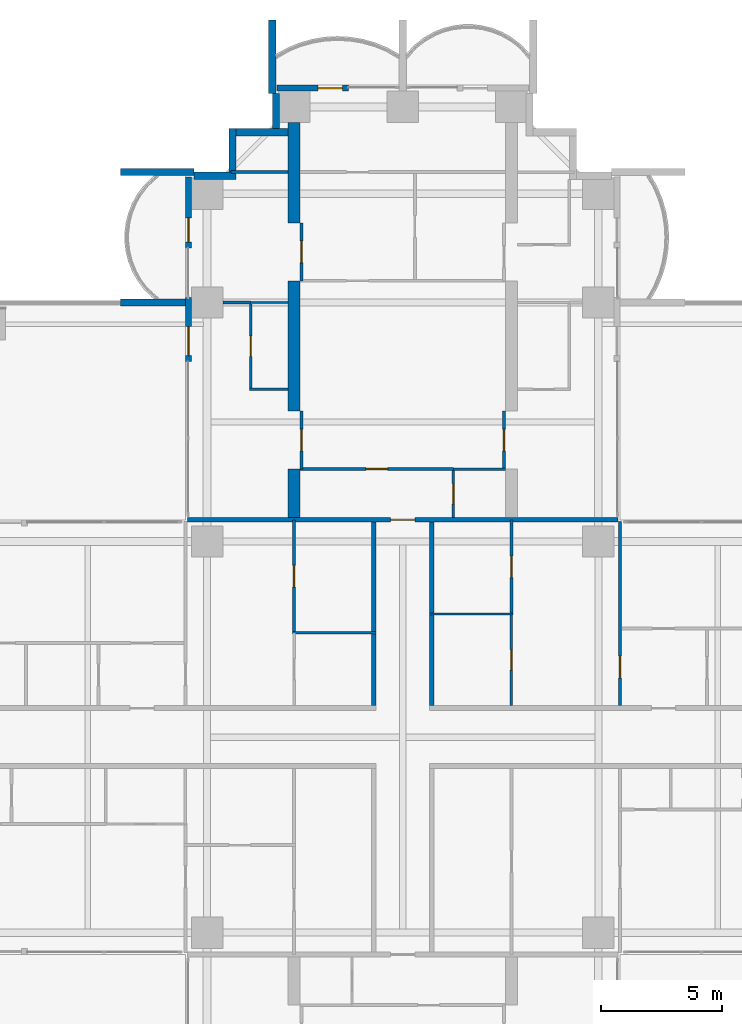
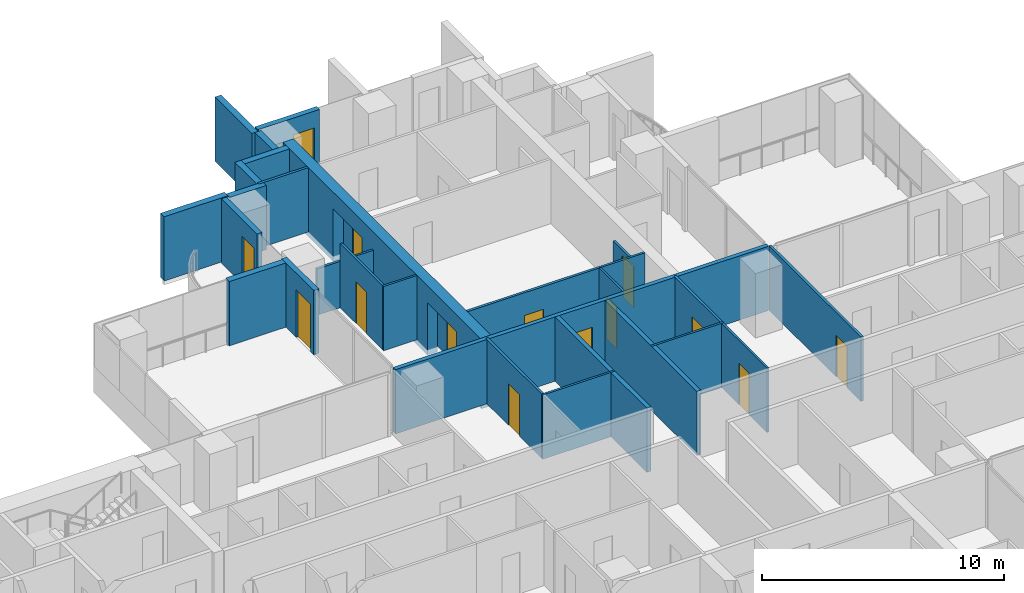
# One storey, part 14 of 21: 31 walls, 14 doors, 14 openings.
"""IFC4 building model written with IfcOpenShell, lengths in metres."""

from ifc_helpers import new_model, si_unit, direction, frame, frame_2d, origin, place, context, subcontext, project, spatial, polyline, rectangle, outline, extrude, material, layer, layer_set, material_profile, profile_set, type_object, element, fill, save


model = new_model("IFC4")

# Units and contexts
model_context = context("Model", 3, precision=1e-05, world=origin(), true_north=direction((0.0, 1.0)))
body_context = subcontext(model_context, "Body", "Model", "MODEL_VIEW")
ifc_project = project(units=[si_unit("LENGTHUNIT", "METRE"), si_unit("AREAUNIT", "SQUARE_METRE"), si_unit("VOLUMEUNIT", "CUBIC_METRE"), si_unit("PLANEANGLEUNIT", "RADIAN"), si_unit("MASSUNIT", "GRAM", prefix="KILO")], contexts=[model_context])

# Site, building, storey
site_placement = place(None, origin())
site = spatial("IfcSite", under=ifc_project, at=site_placement, CompositionType="ELEMENT")
building_placement = place(site_placement, origin())
building = spatial("IfcBuilding", under=site, at=building_placement, Name="Perihelion Cross Residences", CompositionType="ELEMENT")
storey_placement = place(building_placement, frame((0.0, 0.0, 64.5)))
storey = spatial("IfcBuildingStorey", under=building, at=storey_placement, Name="L13", CompositionType="ELEMENT", Elevation=64.5)

# Walls
ifc_material_1 = material(Name="Plasterboard partition")
ifc_layer_1 = layer(ifc_material_1, 0.199951171875)
ifc_layer_set_1 = layer_set([ifc_layer_1], Name="Apartment separation wall 200")
wall_type_1 = type_object("IfcWallType", Name="Apartment separation wall 200", PredefinedType="PARTITIONING", material=ifc_layer_set_1)
for number, where, z_axis, x_axis, name in (
    (1, (1.199951171875, 8.89990234375, 0.0), (0.0, 0.0, 1.0), (0.0, -1.0, 0.0), "Partition L13 W002"),
    (2, (-1.199951171875, 1.300048828125, 0.0), (0.0, 0.0, 1.0), (0.0, 1.0, 0.0), "Partition L13 W006"),
):
    element("IfcWall", number, at=place(storey_placement, frame(where, z_axis=z_axis, x_axis=x_axis)), inside=storey, type_object=wall_type_1, Name=name, PredefinedType="PARTITIONING", context=body_context, shape_type="SweptSolid", body=[
        extrude(rectangle(XDim=7.599853515625, YDim=0.199951171875, at=frame_2d((3.7998046875, 0.0))), origin(), (0.0, 0.0, 1.0), 3.25),
    ])

# Wall, opening, door
wall_1_placement = place(storey_placement, frame((-8.919921875, 9.0, 0.0), z_axis=(0.0, 0.0, 1.0), x_axis=(1.0, 0.0, 0.0)))
wall_1 = element("IfcWall", 3, at=wall_1_placement, inside=storey, type_object=wall_type_1, Name="Partition L13 W009", PredefinedType="PARTITIONING", context=body_context, shape_type="SweptSolid", body=[
    extrude(rectangle(XDim=17.83984375, YDim=0.199951171875, at=frame_2d((8.919921875, 0.0))), origin(), (0.0, 0.0, 1.0), 3.25),
])
opening_1_placement = place(wall_1_placement, frame((8.419921875, 0.0, 0.0)))
opening_1 = element("IfcOpeningElement", 4, at=opening_1_placement, cuts=wall_1, Name="Opening L13.A36", PredefinedType="OPENING", context=body_context, shape_type="SweptSolid", body=[
    extrude(rectangle(XDim=1.0, YDim=2.10009765625, at=frame_2d((0.5, 1.050048828125))), frame((0.0, 0.10986328125, 0.0), z_axis=(0.0, -1.0, 0.0), x_axis=(1.0, 0.0, 0.0)), (0.0, 0.0, 1.0), 0.219970703125),
])
ifc_material_2 = material(Name="Timber door leaf", Category="wood")
door_type_1 = type_object("IfcDoorType", Name="Flat entrance door 1000 x 2100", OperationType="SINGLE_SWING_LEFT", PredefinedType="DOOR", material=ifc_material_2)
door_1_placement = place(opening_1_placement, origin())
door_1 = element("IfcDoor", 5, at=door_1_placement, inside=storey, type_object=door_type_1, Name="Door L13.A36", OperationType="SINGLE_SWING_RIGHT", OverallHeight=2.10009765625, OverallWidth=1.0, PredefinedType="DOOR", context=body_context, shape_type="SweptSolid", body=[
    extrude(rectangle(XDim=1.0, YDim=2.10009765625, at=frame_2d((0.5, 1.050048828125))), frame((0.0, 0.02490234375, 0.0), z_axis=(0.0, -1.0, 0.0), x_axis=(1.0, 0.0, 0.0)), (0.0, 0.0, 1.0), 0.050048828125),
])
fill(opening_1, door_1)

ifc_material_3 = material(Name="Concrete C30/37, bronze-clad", Category="concrete")
ifc_layer_2 = layer(ifc_material_3, 0.25)
ifc_layer_set_2 = layer_set([ifc_layer_2], Name="Bronze-clad pier wall 250")
wall_type_2 = type_object("IfcWallType", Name="Bronze-clad pier wall 250", PredefinedType="SOLIDWALL", material=ifc_layer_set_2)
wall_2_placement = place(storey_placement, frame((-2.25, 26.875, 0.0), z_axis=(0.0, 0.0, 1.0), x_axis=(-1.0, 0.0, 0.0)))
wall_2 = element("IfcWall", 6, at=wall_2_placement, inside=storey, type_object=wall_type_2, Name="Wall FW1 L13 north tip north bay 2 pier", PredefinedType="SOLIDWALL", context=body_context, shape_type="SweptSolid", body=[
    extrude(rectangle(XDim=2.949951171875, YDim=0.25, at=frame_2d((1.47509765625, 0.0))), origin(), (0.0, 0.0, 1.0), 3.25),
])
opening_2_placement = place(wall_2_placement, frame((0.25, 0.0, 0.0)))
opening_2 = element("IfcOpeningElement", 7, at=opening_2_placement, cuts=wall_2, Name="Opening L13.E05", PredefinedType="OPENING", context=body_context, shape_type="SweptSolid", body=[
    extrude(rectangle(XDim=1.0, YDim=2.39990234375, at=frame_2d((0.5, 1.199951171875))), frame((0.0, 0.135009765625, 0.0), z_axis=(0.0, -1.0, 0.0), x_axis=(1.0, 0.0, 0.0)), (0.0, 0.0, 1.0), 0.27001953125),
])
ifc_material_4 = material(Name="Bronze anodised aluminium, glazed", Category="aluminium")
door_type_2 = type_object("IfcDoorType", Name="Balcony door 1000 x 2400", OperationType="NOTDEFINED", PredefinedType="DOOR", material=ifc_material_4)
door_2_placement = place(opening_2_placement, origin())
door_2 = element("IfcDoor", 8, at=door_2_placement, inside=storey, type_object=door_type_2, Name="Door L13.E05 north tip north bay 2", OperationType="SINGLE_SWING_RIGHT", OverallHeight=2.39990234375, OverallWidth=1.0, PredefinedType="DOOR", context=body_context, shape_type="SweptSolid", body=[
    extrude(rectangle(XDim=1.0, YDim=2.39990234375, at=frame_2d((0.5, 1.199951171875))), frame((0.0, 0.02490234375, 0.0), z_axis=(0.0, -1.0, 0.0), x_axis=(1.0, 0.0, 0.0)), (0.0, 0.0, 1.0), 0.050048828125),
])
fill(opening_2, door_2)

wall_3_placement = place(storey_placement, frame((-8.875, 23.199951171875, 0.0), z_axis=(0.0, 0.0, 1.0), x_axis=(0.0, -1.0, 0.0)))
wall_3 = element("IfcWall", 9, at=wall_3_placement, inside=storey, type_object=wall_type_2, Name="Wall FW1 L13 north side west bay 1 pier", PredefinedType="SOLIDWALL", context=body_context, shape_type="SweptSolid", body=[
    extrude(rectangle(XDim=2.949951171875, YDim=0.25, at=frame_2d((1.47509765625, 0.0))), origin(), (0.0, 0.0, 1.0), 3.25),
])
opening_3_placement = place(wall_3_placement, frame((1.699951171875, 0.0, 0.0)))
opening_3 = element("IfcOpeningElement", 10, at=opening_3_placement, cuts=wall_3, Name="Opening L13.E06", PredefinedType="OPENING", context=body_context, shape_type="SweptSolid", body=[
    extrude(rectangle(XDim=1.0, YDim=2.39990234375, at=frame_2d((0.5, 1.199951171875))), frame((0.0, 0.135009765625, 0.0), z_axis=(0.0, -1.0, 0.0), x_axis=(1.0, 0.0, 0.0)), (0.0, 0.0, 1.0), 0.27001953125),
])
door_3_placement = place(opening_3_placement, origin())
door_3 = element("IfcDoor", 11, at=door_3_placement, inside=storey, type_object=door_type_2, Name="Door L13.E06 north side west bay 1", OperationType="SINGLE_SWING_LEFT", OverallHeight=2.39990234375, OverallWidth=1.0, PredefinedType="DOOR", context=body_context, shape_type="SweptSolid", body=[
    extrude(rectangle(XDim=1.0, YDim=2.39990234375, at=frame_2d((0.5, 1.199951171875))), frame((0.0, 0.02490234375, 0.0), z_axis=(0.0, -1.0, 0.0), x_axis=(1.0, 0.0, 0.0)), (0.0, 0.0, 1.0), 0.050048828125),
])
fill(opening_3, door_3)

wall_4_placement = place(storey_placement, frame((-8.875, 18.199951171875, 0.0), z_axis=(0.0, 0.0, 1.0), x_axis=(0.0, -1.0, 0.0)))
wall_4 = element("IfcWall", 12, at=wall_4_placement, inside=storey, type_object=wall_type_2, Name="Wall FW1 L13 north side west bay 2 pier", PredefinedType="SOLIDWALL", context=body_context, shape_type="SweptSolid", body=[
    extrude(rectangle(XDim=2.64990234375, YDim=0.25, at=frame_2d((1.324951171875, 0.0))), origin(), (0.0, 0.0, 1.0), 3.25),
])
opening_4_placement = place(wall_4_placement, frame((1.199951171875, 0.0, 0.0)))
opening_4 = element("IfcOpeningElement", 13, at=opening_4_placement, cuts=wall_4, Name="Opening L13.E07", PredefinedType="OPENING", context=body_context, shape_type="SweptSolid", body=[
    extrude(rectangle(XDim=1.199951171875, YDim=2.39990234375, at=frame_2d((0.60009765625, 1.199951171875))), frame((0.0, 0.135009765625, 0.0), z_axis=(0.0, -1.0, 0.0), x_axis=(1.0, 0.0, 0.0)), (0.0, 0.0, 1.0), 0.27001953125),
])
ifc_material_5 = material(Name="Bronze anodised aluminium, glazed", Category="aluminium")
door_type_3 = type_object("IfcDoorType", Name="Balcony door 1200 x 2400", OperationType="NOTDEFINED", PredefinedType="DOOR", material=ifc_material_5)
door_4_placement = place(opening_4_placement, origin())
door_4 = element("IfcDoor", 14, at=door_4_placement, inside=storey, type_object=door_type_3, Name="Door L13.E07 north side west bay 2", OperationType="SINGLE_SWING_RIGHT", OverallHeight=2.39990234375, OverallWidth=1.199951171875, PredefinedType="DOOR", context=body_context, shape_type="SweptSolid", body=[
    extrude(rectangle(XDim=1.199951171875, YDim=2.39990234375, at=frame_2d((0.60009765625, 1.199951171875))), frame((0.0, 0.02490234375, 0.0), z_axis=(0.0, -1.0, 0.0), x_axis=(1.0, 0.0, 0.0)), (0.0, 0.0, 1.0), 0.050048828125),
])
fill(opening_4, door_4)

# Walls
ifc_material_6 = material(Name="Concrete C30/37, bronze-clad", Category="concrete")
ifc_layer_3 = layer(ifc_material_6, 0.300048828125)
ifc_layer_set_3 = layer_set([ifc_layer_3], Name="Bronze-clad serration wall 300")
wall_type_3 = type_object("IfcWallType", Name="Bronze-clad serration wall 300", PredefinedType="SOLIDWALL", material=ifc_layer_set_3)
wall_5_placement = place(storey_placement, frame((-5.25, 26.64990234375, 0.0), z_axis=(0.0, 0.0, 1.0), x_axis=(0.0, -1.0, 0.0)))
element("IfcWall", 15, at=wall_5_placement, inside=storey, type_object=wall_type_3, Name="Wall SR1 L13 north corner north-west 1", PredefinedType="SOLIDWALL", context=body_context, shape_type="SweptSolid", body=[
    extrude(rectangle(XDim=1.449951171875, YDim=0.300048828125, at=frame_2d((0.72509765625, 0.0))), origin(), (0.0, 0.0, 1.0), 3.25),
])
wall_6_placement = place(storey_placement, frame((-4.75, 25.050048828125, 0.0), z_axis=(0.0, 0.0, 1.0), x_axis=(-1.0, 0.0, 0.0)))
element("IfcWall", 16, at=wall_6_placement, inside=storey, type_object=wall_type_3, Name="Wall SR1 L13 north corner north-west 2", PredefinedType="SOLIDWALL", context=body_context, shape_type="SweptSolid", body=[
    extrude(rectangle(XDim=2.14990234375, YDim=0.300048828125, at=frame_2d((1.074951171875, 0.0))), origin(), (0.0, 0.0, 1.0), 3.25),
])
wall_7_placement = place(storey_placement, frame((-7.050048828125, 25.199951171875, 0.0), z_axis=(0.0, 0.0, 1.0), x_axis=(0.0, -1.0, 0.0)))
element("IfcWall", 17, at=wall_7_placement, inside=storey, type_object=wall_type_3, Name="Wall SR1 L13 north corner north-west 3", PredefinedType="SOLIDWALL", context=body_context, shape_type="SweptSolid", body=[
    extrude(rectangle(XDim=1.800048828125, YDim=0.300048828125, at=frame_2d((0.89990234375, 0.0))), origin(), (0.0, 0.0, 1.0), 3.25),
])
wall_8_placement = place(storey_placement, frame((-6.89990234375, 23.25, 0.0), z_axis=(0.0, 0.0, 1.0), x_axis=(-1.0, 0.0, 0.0)))
element("IfcWall", 18, at=wall_8_placement, inside=storey, type_object=wall_type_3, Name="Wall SR1 L13 north corner north-west 4", PredefinedType="SOLIDWALL", context=body_context, shape_type="SweptSolid", body=[
    extrude(rectangle(XDim=1.75, YDim=0.300048828125, at=frame_2d((0.875, 0.0))), origin(), (0.0, 0.0, 1.0), 3.25),
])

# Wall, opening, door
ifc_material_7 = material(Name="Plasterboard partition")
ifc_layer_4 = layer(ifc_material_7, 0.1201171875)
ifc_layer_set_4 = layer_set([ifc_layer_4], Name="Infill panel 120")
wall_type_4 = type_object("IfcWallType", Name="Infill panel 120", PredefinedType="PARTITIONING", material=ifc_layer_set_4)
wall_9_placement = place(storey_placement, frame((4.18994140625, 11.10009765625, 0.0), z_axis=(0.0, 0.0, 1.0), x_axis=(0.0, 1.0, 0.0)))
wall_9 = element("IfcWall", 19, at=wall_9_placement, inside=storey, type_object=wall_type_4, Name="Partition L13 WI01", PredefinedType="PARTITIONING", context=body_context, shape_type="SweptSolid", body=[
    extrude(rectangle(XDim=2.39990234375, YDim=0.1201171875, at=frame_2d((1.199951171875, 0.0))), origin(), (0.0, 0.0, 1.0), 2.39990234375),
])
opening_5_placement = place(wall_9_placement, frame((0.75, 0.0, 0.0)))
opening_5 = element("IfcOpeningElement", 20, at=opening_5_placement, cuts=wall_9, Name="Opening L13.A57", PredefinedType="OPENING", context=body_context, shape_type="SweptSolid", body=[
    extrude(rectangle(XDim=0.89990234375, YDim=2.10009765625, at=frame_2d((0.449951171875, 1.050048828125))), frame((0.0, 0.070068359375, 0.0), z_axis=(0.0, -1.0, 0.0), x_axis=(1.0, 0.0, 0.0)), (0.0, 0.0, 1.0), 0.14013671875),
])
ifc_material_8 = material(Name="Timber door leaf", Category="wood")
door_type_4 = type_object("IfcDoorType", Name="Interior room door 900 x 2100", OperationType="SINGLE_SWING_LEFT", PredefinedType="DOOR", material=ifc_material_8)
door_5_placement = place(opening_5_placement, origin())
door_5 = element("IfcDoor", 21, at=door_5_placement, inside=storey, type_object=door_type_4, Name="Door L13.A57", OperationType="SINGLE_SWING_LEFT", OverallHeight=2.10009765625, OverallWidth=0.89990234375, PredefinedType="DOOR", context=body_context, shape_type="SweptSolid", body=[
    extrude(rectangle(XDim=0.89990234375, YDim=2.10009765625, at=frame_2d((0.449951171875, 1.050048828125))), frame((0.0, 0.02490234375, 0.0), z_axis=(0.0, -1.0, 0.0), x_axis=(1.0, 0.0, 0.0)), (0.0, 0.0, 1.0), 0.050048828125),
])
fill(opening_5, door_5)

wall_10_placement = place(storey_placement, frame((-4.18994140625, 11.10009765625, 0.0), z_axis=(0.0, 0.0, 1.0), x_axis=(0.0, 1.0, 0.0)))
wall_10 = element("IfcWall", 22, at=wall_10_placement, inside=storey, type_object=wall_type_4, Name="Partition L13 WI03", PredefinedType="PARTITIONING", context=body_context, shape_type="SweptSolid", body=[
    extrude(rectangle(XDim=2.39990234375, YDim=0.1201171875, at=frame_2d((1.199951171875, 0.0))), origin(), (0.0, 0.0, 1.0), 2.39990234375),
])
opening_6_placement = place(wall_10_placement, frame((0.75, 0.0, 0.0)))
opening_6 = element("IfcOpeningElement", 23, at=opening_6_placement, cuts=wall_10, Name="Opening L13.A59", PredefinedType="OPENING", context=body_context, shape_type="SweptSolid", body=[
    extrude(rectangle(XDim=0.89990234375, YDim=2.10009765625, at=frame_2d((0.449951171875, 1.050048828125))), frame((0.0, 0.070068359375, 0.0), z_axis=(0.0, -1.0, 0.0), x_axis=(1.0, 0.0, 0.0)), (0.0, 0.0, 1.0), 0.14013671875),
])
door_6_placement = place(opening_6_placement, origin())
door_6 = element("IfcDoor", 24, at=door_6_placement, inside=storey, type_object=door_type_4, Name="Door L13.A59", OperationType="SINGLE_SWING_RIGHT", OverallHeight=2.10009765625, OverallWidth=0.89990234375, PredefinedType="DOOR", context=body_context, shape_type="SweptSolid", body=[
    extrude(rectangle(XDim=0.89990234375, YDim=2.10009765625, at=frame_2d((0.449951171875, 1.050048828125))), frame((0.0, 0.02490234375, 0.0), z_axis=(0.0, -1.0, 0.0), x_axis=(1.0, 0.0, 0.0)), (0.0, 0.0, 1.0), 0.050048828125),
])
fill(opening_6, door_6)

wall_11_placement = place(storey_placement, frame((-4.18994140625, 18.89990234375, 0.0), z_axis=(0.0, 0.0, 1.0), x_axis=(0.0, 1.0, 0.0)))
wall_11 = element("IfcWall", 25, at=wall_11_placement, inside=storey, type_object=wall_type_4, Name="Partition L13 WI04", PredefinedType="PARTITIONING", context=body_context, shape_type="SweptSolid", body=[
    extrude(rectangle(XDim=2.400146484375, YDim=0.1201171875, at=frame_2d((1.2001953125, 0.0))), origin(), (0.0, 0.0, 1.0), 2.39990234375),
])
opening_7_placement = place(wall_11_placement, frame((0.75, 0.0, 0.0)))
opening_7 = element("IfcOpeningElement", 26, at=opening_7_placement, cuts=wall_11, Name="Opening L13.A60", PredefinedType="OPENING", context=body_context, shape_type="SweptSolid", body=[
    extrude(rectangle(XDim=0.89990234375, YDim=2.10009765625, at=frame_2d((0.449951171875, 1.050048828125))), frame((0.0, 0.070068359375, 0.0), z_axis=(0.0, -1.0, 0.0), x_axis=(1.0, 0.0, 0.0)), (0.0, 0.0, 1.0), 0.14013671875),
])
door_7_placement = place(opening_7_placement, origin())
door_7 = element("IfcDoor", 27, at=door_7_placement, inside=storey, type_object=door_type_4, Name="Door L13.A60", OperationType="SINGLE_SWING_LEFT", OverallHeight=2.10009765625, OverallWidth=0.89990234375, PredefinedType="DOOR", context=body_context, shape_type="SweptSolid", body=[
    extrude(rectangle(XDim=0.89990234375, YDim=2.10009765625, at=frame_2d((0.449951171875, 1.050048828125))), frame((0.0, 0.02490234375, 0.0), z_axis=(0.0, -1.0, 0.0), x_axis=(1.0, 0.0, 0.0)), (0.0, 0.0, 1.0), 0.050048828125),
])
fill(opening_7, door_7)

ifc_material_9 = material(Name="Plasterboard partition")
ifc_layer_5 = layer(ifc_material_9, 0.1201171875)
ifc_layer_set_5 = layer_set([ifc_layer_5], Name="Partition wall 120")
wall_type_5 = type_object("IfcWallType", Name="Partition wall 120", PredefinedType="PARTITIONING", material=ifc_layer_set_5)
wall_12_placement = place(storey_placement, frame((9.0, 1.300048828125, 0.0), z_axis=(0.0, 0.0, 1.0), x_axis=(0.0, 1.0, 0.0)))
wall_12 = element("IfcWall", 28, at=wall_12_placement, inside=storey, type_object=wall_type_5, Name="Partition L13 W013", PredefinedType="PARTITIONING", context=body_context, shape_type="SweptSolid", body=[
    extrude(rectangle(XDim=7.619873046875, YDim=0.1201171875, at=frame_2d((3.81005859375, 0.0))), origin(), (0.0, 0.0, 1.0), 3.25),
])
opening_8_placement = place(wall_12_placement, frame((1.14990234375, 0.0, 0.0)))
opening_8 = element("IfcOpeningElement", 29, at=opening_8_placement, cuts=wall_12, Name="Opening L13.A04", PredefinedType="OPENING", context=body_context, shape_type="SweptSolid", body=[
    extrude(rectangle(XDim=0.89990234375, YDim=2.10009765625, at=frame_2d((0.449951171875, 1.050048828125))), frame((0.0, 0.070068359375, 0.0), z_axis=(0.0, -1.0, 0.0), x_axis=(1.0, 0.0, 0.0)), (0.0, 0.0, 1.0), 0.14013671875),
])
door_8_placement = place(opening_8_placement, origin())
door_8 = element("IfcDoor", 30, at=door_8_placement, inside=storey, type_object=door_type_4, Name="Door L13.A04", OperationType="SINGLE_SWING_RIGHT", OverallHeight=2.10009765625, OverallWidth=0.89990234375, PredefinedType="DOOR", context=body_context, shape_type="SweptSolid", body=[
    extrude(rectangle(XDim=0.89990234375, YDim=2.10009765625, at=frame_2d((0.449951171875, 1.050048828125))), frame((0.0, 0.02490234375, 0.0), z_axis=(0.0, -1.0, 0.0), x_axis=(1.0, 0.0, 0.0)), (0.0, 0.0, 1.0), 0.050048828125),
])
fill(opening_8, door_8)

wall_13_placement = place(storey_placement, frame((4.5, 5.10009765625, 0.0), z_axis=(0.0, 0.0, 1.0), x_axis=(0.0, 1.0, 0.0)))
wall_13 = element("IfcWall", 31, at=wall_13_placement, inside=storey, type_object=wall_type_5, Name="Partition L13 W020", PredefinedType="PARTITIONING", context=body_context, shape_type="SweptSolid", body=[
    extrude(rectangle(XDim=3.89990234375, YDim=0.1201171875, at=frame_2d((1.949951171875, 0.0))), origin(), (0.0, 0.0, 1.0), 3.25),
])
opening_9_placement = place(wall_13_placement, frame((1.5, 0.0, 0.0)))
opening_9 = element("IfcOpeningElement", 32, at=opening_9_placement, cuts=wall_13, Name="Opening L13.A07", PredefinedType="OPENING", context=body_context, shape_type="SweptSolid", body=[
    extrude(rectangle(XDim=0.89990234375, YDim=2.10009765625, at=frame_2d((0.449951171875, 1.050048828125))), frame((0.0, 0.070068359375, 0.0), z_axis=(0.0, -1.0, 0.0), x_axis=(1.0, 0.0, 0.0)), (0.0, 0.0, 1.0), 0.14013671875),
])
door_9_placement = place(opening_9_placement, origin())
door_9 = element("IfcDoor", 33, at=door_9_placement, inside=storey, type_object=door_type_4, Name="Door L13.A07", OperationType="SINGLE_SWING_RIGHT", OverallHeight=2.10009765625, OverallWidth=0.89990234375, PredefinedType="DOOR", context=body_context, shape_type="SweptSolid", body=[
    extrude(rectangle(XDim=0.89990234375, YDim=2.10009765625, at=frame_2d((0.449951171875, 1.050048828125))), frame((0.0, 0.02490234375, 0.0), z_axis=(0.0, -1.0, 0.0), x_axis=(1.0, 0.0, 0.0)), (0.0, 0.0, 1.0), 0.050048828125),
])
fill(opening_9, door_9)

wall_14_placement = place(storey_placement, frame((-4.5, 9.0, 0.0), z_axis=(0.0, 0.0, 1.0), x_axis=(0.0, -1.0, 0.0)))
wall_14 = element("IfcWall", 34, at=wall_14_placement, inside=storey, type_object=wall_type_5, Name="Partition L13 W044", PredefinedType="PARTITIONING", context=body_context, shape_type="SweptSolid", body=[
    extrude(rectangle(XDim=4.679931640625, YDim=0.1201171875, at=frame_2d((2.33984375, 0.0))), origin(), (0.0, 0.0, 1.0), 3.25),
])
opening_10_placement = place(wall_14_placement, frame((1.889892578125, 0.0, 0.0)))
opening_10 = element("IfcOpeningElement", 35, at=opening_10_placement, cuts=wall_14, Name="Opening L13.A23", PredefinedType="OPENING", context=body_context, shape_type="SweptSolid", body=[
    extrude(rectangle(XDim=0.89990234375, YDim=2.10009765625, at=frame_2d((0.449951171875, 1.050048828125))), frame((0.0, 0.070068359375, 0.0), z_axis=(0.0, -1.0, 0.0), x_axis=(1.0, 0.0, 0.0)), (0.0, 0.0, 1.0), 0.14013671875),
])
door_10_placement = place(opening_10_placement, origin())
door_10 = element("IfcDoor", 36, at=door_10_placement, inside=storey, type_object=door_type_4, Name="Door L13.A23", OperationType="SINGLE_SWING_RIGHT", OverallHeight=2.10009765625, OverallWidth=0.89990234375, PredefinedType="DOOR", context=body_context, shape_type="SweptSolid", body=[
    extrude(rectangle(XDim=0.89990234375, YDim=2.10009765625, at=frame_2d((0.449951171875, 1.050048828125))), frame((0.0, 0.02490234375, 0.0), z_axis=(0.0, -1.0, 0.0), x_axis=(1.0, 0.0, 0.0)), (0.0, 0.0, 1.0), 0.050048828125),
])
fill(opening_10, door_10)

wall_15_placement = place(storey_placement, frame((-4.25, 11.10009765625, 0.0), z_axis=(0.0, 0.0, 1.0), x_axis=(1.0, 0.0, 0.0)))
wall_15 = element("IfcWall", 37, at=wall_15_placement, inside=storey, type_object=wall_type_5, Name="Partition L13 W061", PredefinedType="PARTITIONING", context=body_context, shape_type="SweptSolid", body=[
    extrude(rectangle(XDim=6.35009765625, YDim=0.1201171875, at=frame_2d((3.175048828125, 0.0))), origin(), (0.0, 0.0, 1.0), 3.25),
])
opening_11_placement = place(wall_15_placement, frame((2.72509765625, 0.0, 0.0)))
opening_11 = element("IfcOpeningElement", 38, at=opening_11_placement, cuts=wall_15, Name="Opening L13.A38", PredefinedType="OPENING", context=body_context, shape_type="SweptSolid", body=[
    extrude(rectangle(XDim=0.89990234375, YDim=2.10009765625, at=frame_2d((0.449951171875, 1.050048828125))), frame((0.0, 0.070068359375, 0.0), z_axis=(0.0, -1.0, 0.0), x_axis=(1.0, 0.0, 0.0)), (0.0, 0.0, 1.0), 0.14013671875),
])
door_11_placement = place(opening_11_placement, origin())
door_11 = element("IfcDoor", 39, at=door_11_placement, inside=storey, type_object=door_type_4, Name="Door L13.A38", OperationType="SINGLE_SWING_LEFT", OverallHeight=2.10009765625, OverallWidth=0.89990234375, PredefinedType="DOOR", context=body_context, shape_type="SweptSolid", body=[
    extrude(rectangle(XDim=0.89990234375, YDim=2.10009765625, at=frame_2d((0.449951171875, 1.050048828125))), frame((0.0, 0.02490234375, 0.0), z_axis=(0.0, -1.0, 0.0), x_axis=(1.0, 0.0, 0.0)), (0.0, 0.0, 1.0), 0.050048828125),
])
fill(opening_11, door_11)

# Walls
wall_16_placement = place(storey_placement, frame((-7.449951171875, 18.0, 0.0), z_axis=(0.0, 0.0, 1.0), x_axis=(1.0, 0.0, 0.0)))
element("IfcWall", 40, at=wall_16_placement, inside=storey, type_object=wall_type_5, Name="Partition L13 W075", PredefinedType="PARTITIONING", context=body_context, shape_type="SweptSolid", body=[
    extrude(rectangle(XDim=1.14990234375, YDim=0.1201171875, at=frame_2d((0.574951171875, 0.0))), origin(), (0.0, 0.0, 1.0), 2.345947265625),
])
wall_17_placement = place(storey_placement, frame((-7.1201171875, 23.39990234375, 0.0), z_axis=(0.0, 0.0, 1.0), x_axis=(1.0, 0.0, 0.0)))
element("IfcWall", 41, at=wall_17_placement, inside=storey, type_object=wall_type_5, Name="Partition L13 W077", PredefinedType="PARTITIONING", context=body_context, shape_type="SweptSolid", body=[
    extrude(rectangle(XDim=2.3701171875, YDim=0.1201171875, at=frame_2d((1.18505859375, 0.0))), origin(), (0.0, 0.0, 1.0), 3.25),
])
ifc_material_10 = material(Name="Precast concrete C50/60", Category="concrete")
ifc_layer_6 = layer(ifc_material_10, 0.300048828125)
ifc_layer_set_6 = layer_set([ifc_layer_6], Name="Precast concrete C50/60 blade wall 300")
wall_type_6 = type_object("IfcWallType", Name="Precast concrete C50/60 blade wall 300", PredefinedType="SOLIDWALL", material=ifc_layer_set_6)
wall_18_placement = place(storey_placement, frame((-8.75, 18.0, 0.0), z_axis=(0.0, 0.0, 1.0), x_axis=(-1.0, 0.0, 0.0)))
element("IfcWall", 42, at=wall_18_placement, inside=storey, type_object=wall_type_6, Name="Wall BL1 L13 no. 7", PredefinedType="SOLIDWALL", context=body_context, shape_type="SweptSolid", body=[
    extrude(rectangle(XDim=2.949951171875, YDim=0.300048828125, at=frame_2d((1.47509765625, 0.0))), origin(), (0.0, 0.0, 1.0), 3.25),
])
for number, where, z_axis, x_axis, name in (
    (43, (-8.64990234375, 23.39990234375, 0.0), (0.0, 0.0, 1.0), (-1.0, 0.0, 0.0), "Wall BL1 L13 no. 8"),
    (44, (-5.39990234375, 26.64990234375, 0.0), (0.0, 0.0, 1.0), (0.0, 1.0, 0.0), "Wall BL1 L13 no. 4"),
):
    element("IfcWall", number, at=place(storey_placement, frame(where, z_axis=z_axis, x_axis=x_axis)), inside=storey, type_object=wall_type_6, Name=name, PredefinedType="SOLIDWALL", context=body_context, shape_type="SweptSolid", body=[
        extrude(rectangle(XDim=3.050048828125, YDim=0.300048828125, at=frame_2d((1.52490234375, 0.0))), origin(), (0.0, 0.0, 1.0), 3.25),
    ])
ifc_material_11 = material(Name="Concrete C60/75", Category="concrete")
ifc_material_profile = material_profile(ifc_material_11, outline(polyline([(0.0, 0.0), (2.10009765625, 0.0), (2.10009765625, 2.64990234375), (4.5, 2.64990234375), (4.5, 0.0), (9.89990234375, 0.0), (9.89990234375, 2.64990234375), (12.300048828125, 2.64990234375), (12.300048828125, 0.0), (16.449951171875, 0.0), (16.449951171875, 3.5), (0.0, 3.5), (0.0, 0.0)])), Name="Tip spine wall")
ifc_profile_set = profile_set([ifc_material_profile], Name="Concrete C60/75")
wall_type_7 = type_object("IfcWallType", Name="Tip spine wall 500 with 2 door openings 16450 long 3500 high concrete C60/75 hand B", PredefinedType="SHEAR", material=ifc_profile_set)
wall_19_placement = place(storey_placement, frame((-4.75, 9.0, -0.25), z_axis=(1.0, 0.0, 0.0), x_axis=(0.0, 1.0, 0.0)))
element("IfcWall", 45, at=wall_19_placement, inside=storey, type_object=wall_type_7, Name="Shear wall SW23 L13 north west", PredefinedType="SHEAR", context=body_context, shape_type="SweptSolid", body=[
    extrude(outline(polyline([(0.0, 0.0), (2.10009765625, 0.0), (2.10009765625, 2.64990234375), (4.5, 2.64990234375), (4.5, 0.0), (9.89990234375, 0.0), (9.89990234375, 2.64990234375), (12.300048828125, 2.64990234375), (12.300048828125, 0.0), (16.449951171875, 0.0), (16.449951171875, 3.5), (0.0, 3.5), (0.0, 0.0)])), origin(), (0.0, 0.0, 1.0), 0.5),
])

# Wall, opening, door
ifc_material_12 = material(Name="Plasterboard partition")
ifc_layer_7 = layer(ifc_material_12, 0.10009765625)
ifc_layer_set_7 = layer_set([ifc_layer_7], Name="Wet room wall 100")
wall_type_8 = type_object("IfcWallType", Name="Wet room wall 100", PredefinedType="PARTITIONING", material=ifc_layer_set_7)
wall_20_placement = place(storey_placement, frame((4.5, 1.300048828125, 0.0), z_axis=(0.0, 0.0, 1.0), x_axis=(0.0, 1.0, 0.0)))
wall_20 = element("IfcWall", 46, at=wall_20_placement, inside=storey, type_object=wall_type_8, Name="Partition L13 W019", PredefinedType="PARTITIONING", context=body_context, shape_type="SweptSolid", body=[
    extrude(rectangle(XDim=3.800048828125, YDim=0.10009765625, at=frame_2d((1.89990234375, 0.0))), origin(), (0.0, 0.0, 1.0), 3.25),
])
opening_12_placement = place(wall_20_placement, frame((1.47509765625, 0.0, 0.0)))
opening_12 = element("IfcOpeningElement", 47, at=opening_12_placement, cuts=wall_20, Name="Opening L13.A03", PredefinedType="OPENING", context=body_context, shape_type="SweptSolid", body=[
    extrude(rectangle(XDim=0.85009765625, YDim=2.10009765625, at=frame_2d((0.425048828125, 1.050048828125))), frame((0.0, 0.06005859375, 0.0), z_axis=(0.0, -1.0, 0.0), x_axis=(1.0, 0.0, 0.0)), (0.0, 0.0, 1.0), 0.1201171875),
])
ifc_material_13 = material(Name="Timber door leaf", Category="wood")
door_type_5 = type_object("IfcDoorType", Name="Interior bathroom door 850 x 2100", OperationType="SINGLE_SWING_LEFT", PredefinedType="DOOR", material=ifc_material_13)
door_12_placement = place(opening_12_placement, origin())
door_12 = element("IfcDoor", 48, at=door_12_placement, inside=storey, type_object=door_type_5, Name="Door L13.A03", OperationType="SINGLE_SWING_RIGHT", OverallHeight=2.10009765625, OverallWidth=0.85009765625, PredefinedType="DOOR", context=body_context, shape_type="SweptSolid", body=[
    extrude(rectangle(XDim=0.85009765625, YDim=2.10009765625, at=frame_2d((0.425048828125, 1.050048828125))), frame((0.0, 0.02490234375, 0.0), z_axis=(0.0, -1.0, 0.0), x_axis=(1.0, 0.0, 0.0)), (0.0, 0.0, 1.0), 0.050048828125),
])
fill(opening_12, door_12)

# Walls
for number, where, z_axis, x_axis, name in (
    (49, (1.10009765625, 5.10009765625, 0.0), (0.0, 0.0, 1.0), (1.0, 0.0, 0.0), "Partition L13 W021"),
    (50, (-4.56005859375, 4.320068359375, 0.0), (0.0, 0.0, 1.0), (1.0, 0.0, 0.0), "Partition L13 W045"),
):
    element("IfcWall", number, at=place(storey_placement, frame(where, z_axis=z_axis, x_axis=x_axis)), inside=storey, type_object=wall_type_8, Name=name, PredefinedType="PARTITIONING", context=body_context, shape_type="SweptSolid", body=[
        extrude(rectangle(XDim=3.4599609375, YDim=0.10009765625, at=frame_2d((1.72998046875, 0.0))), origin(), (0.0, 0.0, 1.0), 3.25),
    ])

# Wall, opening, door
wall_21_placement = place(storey_placement, frame((2.10009765625, 11.0400390625, 0.0), z_axis=(0.0, 0.0, 1.0), x_axis=(0.0, -1.0, 0.0)))
wall_21 = element("IfcWall", 51, at=wall_21_placement, inside=storey, type_object=wall_type_8, Name="Partition L13 W060", PredefinedType="PARTITIONING", context=body_context, shape_type="SweptSolid", body=[
    extrude(rectangle(XDim=1.93994140625, YDim=0.10009765625, at=frame_2d((0.969970703125, 0.0))), origin(), (0.0, 0.0, 1.0), 3.25),
])
opening_13_placement = place(wall_21_placement, frame((0.544921875, 0.0, 0.0)))
opening_13 = element("IfcOpeningElement", 52, at=opening_13_placement, cuts=wall_21, Name="Opening L13.A37", PredefinedType="OPENING", context=body_context, shape_type="SweptSolid", body=[
    extrude(rectangle(XDim=0.85009765625, YDim=2.10009765625, at=frame_2d((0.425048828125, 1.050048828125))), frame((0.0, 0.06005859375, 0.0), z_axis=(0.0, -1.0, 0.0), x_axis=(1.0, 0.0, 0.0)), (0.0, 0.0, 1.0), 0.1201171875),
])
door_13_placement = place(opening_13_placement, origin())
door_13 = element("IfcDoor", 53, at=door_13_placement, inside=storey, type_object=door_type_5, Name="Door L13.A37", OperationType="SINGLE_SWING_LEFT", OverallHeight=2.10009765625, OverallWidth=0.85009765625, PredefinedType="DOOR", context=body_context, shape_type="SweptSolid", body=[
    extrude(rectangle(XDim=0.85009765625, YDim=2.10009765625, at=frame_2d((0.425048828125, 1.050048828125))), frame((0.0, 0.02490234375, 0.0), z_axis=(0.0, -1.0, 0.0), x_axis=(1.0, 0.0, 0.0)), (0.0, 0.0, 1.0), 0.050048828125),
])
fill(opening_13, door_13)

# Wall
wall_22_placement = place(storey_placement, frame((2.10009765625, 11.10009765625, 0.0), z_axis=(0.0, 0.0, 1.0), x_axis=(1.0, 0.0, 0.0)))
element("IfcWall", 54, at=wall_22_placement, inside=storey, type_object=wall_type_8, Name="Partition L13 W062", PredefinedType="PARTITIONING", context=body_context, shape_type="SweptSolid", body=[
    extrude(rectangle(XDim=2.14990234375, YDim=0.10009765625, at=frame_2d((1.074951171875, 0.0))), origin(), (0.0, 0.0, 1.0), 3.25),
])

# Wall, opening, door
wall_23_placement = place(storey_placement, frame((-6.300048828125, 17.93994140625, 0.0), z_axis=(0.0, 0.0, 1.0), x_axis=(0.0, -1.0, 0.0)))
wall_23 = element("IfcWall", 55, at=wall_23_placement, inside=storey, type_object=wall_type_8, Name="Partition L13 W073", PredefinedType="PARTITIONING", context=body_context, shape_type="SweptSolid", body=[
    extrude(rectangle(XDim=3.489990234375, YDim=0.10009765625, at=frame_2d((1.7451171875, 0.0))), origin(), (0.0, 0.0, 1.0), 3.25),
])
opening_14_placement = place(wall_23_placement, frame((1.320068359375, 0.0, 0.0)))
opening_14 = element("IfcOpeningElement", 56, at=opening_14_placement, cuts=wall_23, Name="Opening L13.A44", PredefinedType="OPENING", context=body_context, shape_type="SweptSolid", body=[
    extrude(rectangle(XDim=0.85009765625, YDim=2.10009765625, at=frame_2d((0.425048828125, 1.050048828125))), frame((0.0, 0.06005859375, 0.0), z_axis=(0.0, -1.0, 0.0), x_axis=(1.0, 0.0, 0.0)), (0.0, 0.0, 1.0), 0.1201171875),
])
door_14_placement = place(opening_14_placement, origin())
door_14 = element("IfcDoor", 57, at=door_14_placement, inside=storey, type_object=door_type_5, Name="Door L13.A44", OperationType="SINGLE_SWING_LEFT", OverallHeight=2.10009765625, OverallWidth=0.85009765625, PredefinedType="DOOR", context=body_context, shape_type="SweptSolid", body=[
    extrude(rectangle(XDim=0.85009765625, YDim=2.10009765625, at=frame_2d((0.425048828125, 1.050048828125))), frame((0.0, 0.02490234375, 0.0), z_axis=(0.0, -1.0, 0.0), x_axis=(1.0, 0.0, 0.0)), (0.0, 0.0, 1.0), 0.050048828125),
])
fill(opening_14, door_14)

# Walls
wall_24_placement = place(storey_placement, frame((-6.35009765625, 14.39990234375, 0.0), z_axis=(0.0, 0.0, 1.0), x_axis=(1.0, 0.0, 0.0)))
element("IfcWall", 58, at=wall_24_placement, inside=storey, type_object=wall_type_8, Name="Partition L13 W074", PredefinedType="PARTITIONING", context=body_context, shape_type="SweptSolid", body=[
    extrude(rectangle(XDim=1.60009765625, YDim=0.10009765625, at=frame_2d((0.800048828125, 0.0))), origin(), (0.0, 0.0, 1.0), 3.25),
])
wall_25_placement = place(storey_placement, frame((-6.300048828125, 18.0, 0.0), z_axis=(0.0, 0.0, 1.0), x_axis=(1.0, 0.0, 0.0)))
element("IfcWall", 59, at=wall_25_placement, inside=storey, type_object=wall_type_8, Name="Partition L13 W076", PredefinedType="PARTITIONING", context=body_context, shape_type="SweptSolid", body=[
    extrude(rectangle(XDim=1.550048828125, YDim=0.10009765625, at=frame_2d((0.77490234375, 0.0))), origin(), (0.0, 0.0, 1.0), 2.345947265625),
])

save(model, "model.ifc")
